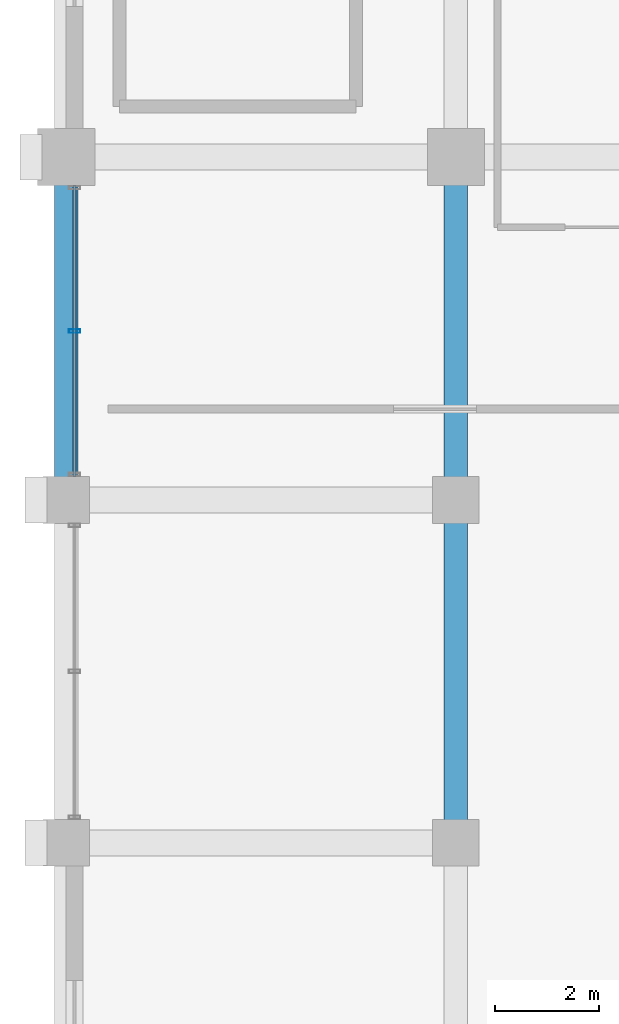
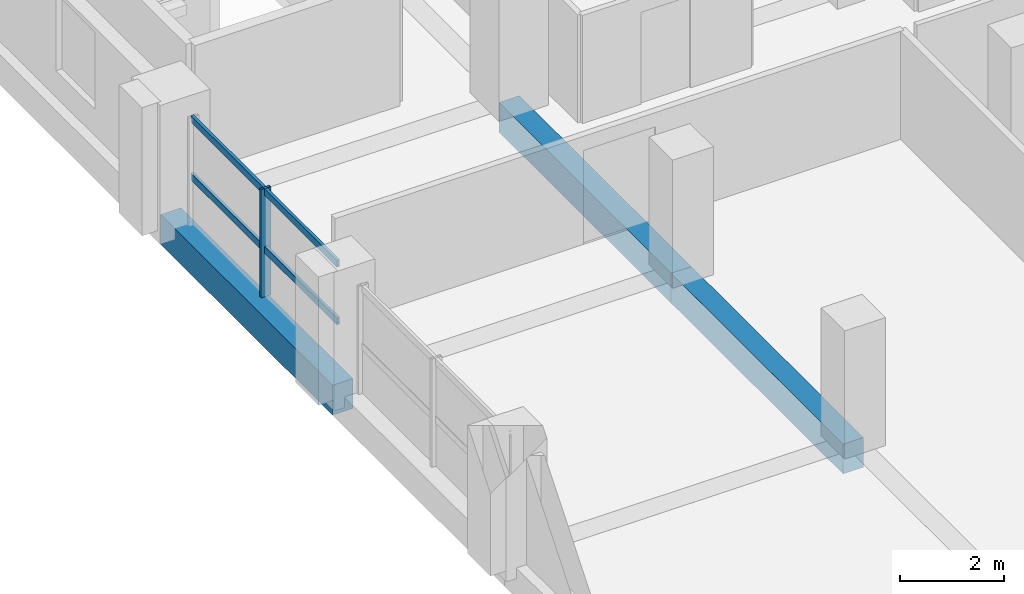
# One storey, part 5 of 21: 3 beams, 3 members, 1 element without a shape of its own.
"""IFC4 building model written with IfcOpenShell, lengths in metres."""

from ifc_helpers import new_model, si_unit, direction, frame, origin, origin_2d, place, context, subcontext, project, spatial, rectangle, hollow_rectangle, extrude, material, material_profile, profile_set, type_object, element, aggregate, save


model = new_model("IFC4")

# Units and contexts
model_context = context("Model", 3, precision=1e-05, world=origin(), true_north=direction((0.0, 1.0)))
body_context = subcontext(model_context, "Body", "Model", "MODEL_VIEW")
ifc_project = project(units=[si_unit("LENGTHUNIT", "METRE"), si_unit("AREAUNIT", "SQUARE_METRE"), si_unit("VOLUMEUNIT", "CUBIC_METRE"), si_unit("PLANEANGLEUNIT", "RADIAN"), si_unit("MASSUNIT", "GRAM", prefix="KILO")], contexts=[model_context])

# Site, building, storey
site_placement = place(None, origin())
site = spatial("IfcSite", under=ifc_project, at=site_placement, CompositionType="ELEMENT")
building_placement = place(site_placement, origin())
building = spatial("IfcBuilding", under=site, at=building_placement, Name="Akrevak Sports Hall", CompositionType="ELEMENT")
storey_placement = place(building_placement, frame((0.0, 0.0, 34.050048828125)))
storey = spatial("IfcBuildingStorey", under=building, at=storey_placement, Name="L07", CompositionType="ELEMENT", Elevation=34.050048828125)

# Curtain wall, members
ifc_material_1 = material(Name="Anodized Bronze Aluminium & Low-E Glass", Category="aluminium")
curtain_wall_type = type_object("IfcCurtainWallType", Name="ARC-CW-TWR-56x30", PredefinedType="NOTDEFINED", material=ifc_material_1)
curtain_wall_placement = place(storey_placement, origin())
curtain_wall = element("IfcCurtainWall", 1, at=curtain_wall_placement, inside=storey, type_object=curtain_wall_type, Name="Curtain Wall CW-L07-W30", PredefinedType="NOTDEFINED")
ifc_material_2 = material(Name="Anodized Bronze Aluminium", Category="aluminium")
ifc_material_profile_1 = material_profile(ifc_material_2, hollow_rectangle(XDim=0.06494140625, YDim=0.219970703125, WallThickness=0.00439453125, at=origin_2d()), Name="CWM 65x220", Category="aluminium")
ifc_profile_set_1 = profile_set([ifc_material_profile_1], Name="Anodized Bronze Aluminium")
member_type_1 = type_object("IfcMemberType", Name="ARC-CWM-70x160", PredefinedType="MULLION", material=ifc_profile_set_1)
member_1_placement = place(storey_placement, frame((45.159912109375, 51.85009765625, 0.0), z_axis=(0.0, 0.0, 1.0), x_axis=(0.0, -1.0, 0.0)))
member_1 = element("IfcMember", 2, at=member_1_placement, type_object=member_type_1, Name="Curtain Wall Mullion CW-L07-W30-M2", PredefinedType="MULLION", context=body_context, shape_type="SweptSolid", body=[
    extrude(hollow_rectangle(XDim=0.06494140625, YDim=0.219970703125, WallThickness=0.00439453125, at=origin_2d()), origin(), (0.0, 0.0, 1.0), 2.530029296875),
])
ifc_material_profile_2 = material_profile(ifc_material_2, hollow_rectangle(XDim=0.06494140625, YDim=0.159912109375, WallThickness=0.00390625, at=origin_2d()), Name="CWT 65x160", Category="aluminium")
ifc_profile_set_2 = profile_set([ifc_material_profile_2], Name="Anodized Bronze Aluminium")
member_type_2 = type_object("IfcMemberType", Name="ARC-CWT-70x130", PredefinedType="USERDEFINED", material=ifc_profile_set_2)
member_2_placement = place(storey_placement, frame((45.159912109375, 54.64990234375, 1.099853515625), z_axis=(0.0, -1.0, 0.0), x_axis=(1.0, 0.0, 0.0)))
member_2 = element("IfcMember", 3, at=member_2_placement, type_object=member_type_2, Name="Curtain Wall Transom CW-L07-W30-T1", ObjectType="TRANSOM", PredefinedType="USERDEFINED", context=body_context, shape_type="SweptSolid", body=[
    extrude(hollow_rectangle(XDim=0.06494140625, YDim=0.159912109375, WallThickness=0.00390625, at=origin_2d()), origin(), (0.0, 0.0, 1.0), 5.599853515625),
])
member_3_placement = place(storey_placement, frame((45.159912109375, 54.64990234375, 2.449951171875), z_axis=(0.0, -1.0, 0.0), x_axis=(1.0, 0.0, 0.0)))
member_3 = element("IfcMember", 4, at=member_3_placement, type_object=member_type_2, Name="Curtain Wall Transom CW-L07-W30-T2", ObjectType="TRANSOM", PredefinedType="USERDEFINED", context=body_context, shape_type="SweptSolid", body=[
    extrude(hollow_rectangle(XDim=0.06494140625, YDim=0.159912109375, WallThickness=0.00390625, at=origin_2d()), origin(), (0.0, 0.0, 1.0), 5.599853515625),
])
aggregate(curtain_wall, [member_1, member_2, member_3])

# Beams
ifc_material_3 = material(Name="Concrete C40/50", Category="concrete")
ifc_material_profile_3 = material_profile(ifc_material_3, rectangle(XDim=0.449951171875, YDim=0.699951171875, at=origin_2d()), Name="BM 450x700", Category="concrete")
ifc_profile_set_3 = profile_set([ifc_material_profile_3], Name="Concrete C40/50")
beam_type = type_object("IfcBeamType", Name="STR-BM-RC450x700", PredefinedType="BEAM", material=ifc_profile_set_3)
beam_1_placement = place(storey_placement, frame((45.0, 48.60009765625, -0.35009765625), z_axis=(0.0, 1.0, 0.0), x_axis=(-1.0, 0.0, 0.0)))
element("IfcBeam", 5, at=beam_1_placement, inside=storey, type_object=beam_type, Name="Girder 7/H-I (L07)", PredefinedType="BEAM", context=body_context, shape_type="SweptSolid", body=[
    extrude(rectangle(XDim=0.449951171875, YDim=0.699951171875, at=origin_2d()), origin(), (0.0, 0.0, 1.0), 6.599853515625),
])
beam_2_placement = place(storey_placement, frame((52.5, 42.0, -0.35009765625), z_axis=(0.0, 1.0, 0.0), x_axis=(-1.0, 0.0, 0.0)))
element("IfcBeam", 6, at=beam_2_placement, inside=storey, type_object=beam_type, Name="Girder 8/G-H (L07)", PredefinedType="BEAM", context=body_context, shape_type="SweptSolid", body=[
    extrude(rectangle(XDim=0.449951171875, YDim=0.699951171875, at=origin_2d()), origin(), (0.0, 0.0, 1.0), 6.60009765625),
])
beam_3_placement = place(storey_placement, frame((52.5, 48.60009765625, -0.35009765625), z_axis=(0.0, 1.0, 0.0), x_axis=(-1.0, 0.0, 0.0)))
element("IfcBeam", 7, at=beam_3_placement, inside=storey, type_object=beam_type, Name="Girder 8/H-I (L07)", PredefinedType="BEAM", context=body_context, shape_type="SweptSolid", body=[
    extrude(rectangle(XDim=0.449951171875, YDim=0.699951171875, at=origin_2d()), origin(), (0.0, 0.0, 1.0), 6.599853515625),
])

save(model, "model.ifc")
